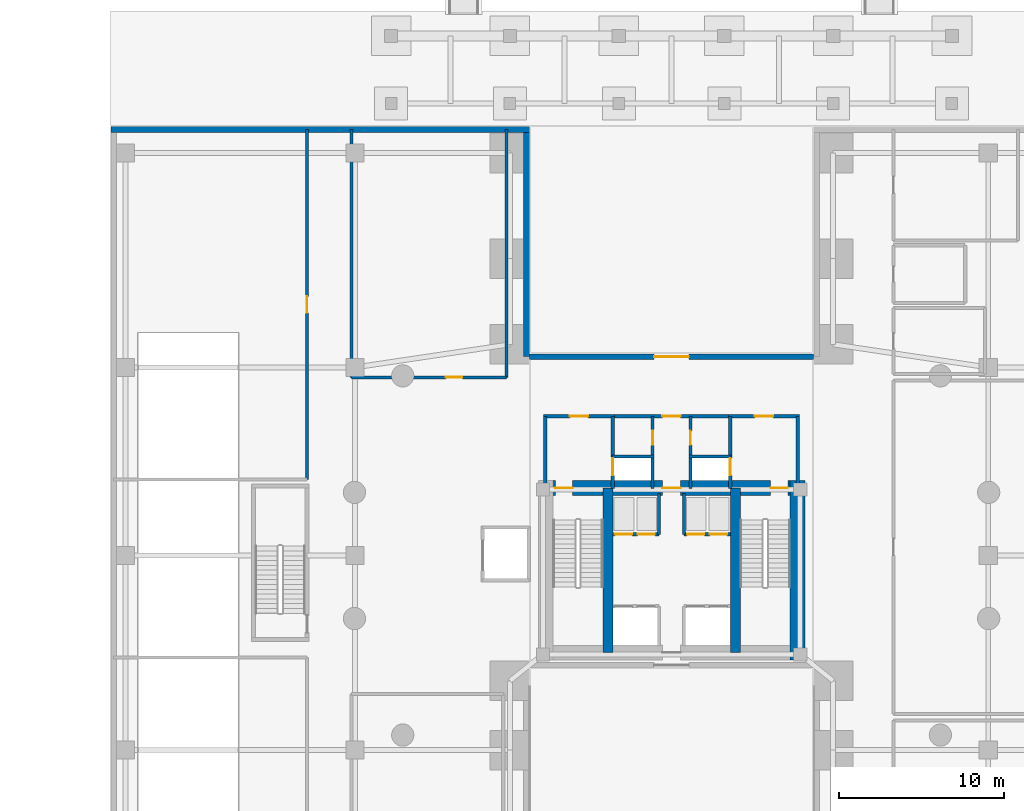
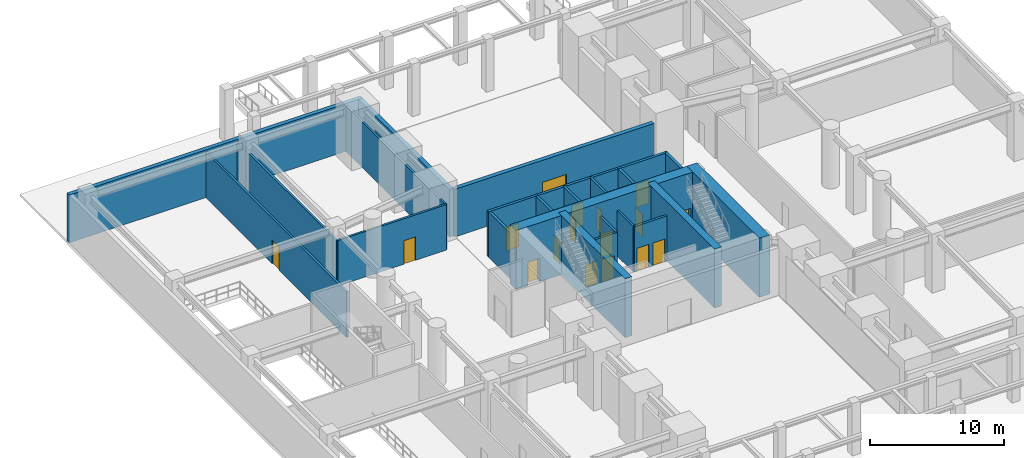
# One storey, part 5 of 11: 26 walls, 17 doors, 17 openings.
"""IFC4 building model written with IfcOpenShell, lengths in metres."""

from ifc_helpers import new_model, si_unit, direction, frame, frame_2d, origin, place, context, subcontext, project, spatial, rectangle, extrude, material, layer, layer_set, type_object, element, fill, save


model = new_model("IFC4")

# Units and contexts
model_context = context("Model", 3, precision=1e-05, world=origin(), true_north=direction((0.0, 1.0)))
body_context = subcontext(model_context, "Body", "Model", "MODEL_VIEW")
ifc_project = project(units=[si_unit("LENGTHUNIT", "METRE"), si_unit("AREAUNIT", "SQUARE_METRE"), si_unit("VOLUMEUNIT", "CUBIC_METRE"), si_unit("PLANEANGLEUNIT", "RADIAN"), si_unit("MASSUNIT", "GRAM", prefix="KILO"), si_unit("THERMODYNAMICTEMPERATUREUNIT", "KELVIN"), si_unit("POWERUNIT", "WATT")], contexts=[model_context])

# Site, building, storey
site_placement = place(None, origin())
site = spatial("IfcSite", under=ifc_project, at=site_placement, CompositionType="ELEMENT")
building_placement = place(site_placement, origin())
building = spatial("IfcBuilding", under=site, at=building_placement, Name="Ocrelia Relay Tower", CompositionType="ELEMENT")
storey_placement = place(building_placement, origin())
storey = spatial("IfcBuildingStorey", under=building, at=storey_placement, Name="L00", CompositionType="ELEMENT", Elevation=0.0)

# Wall, openings, doors
ifc_material_1 = material(Name="Concrete C70/85", Category="concrete")
ifc_layer_1 = layer(ifc_material_1, 0.89990234375, Name="Concrete C70/85")
ifc_layer_set_1 = layer_set([ifc_layer_1], Name="Concrete C70/85")
wall_type_1 = type_object("IfcWallType", Name="CW-CORE-900", PredefinedType="SHEAR", material=ifc_layer_set_1)
wall_1_placement = place(storey_placement, frame((25.922119140625, 30.087890625, 0.0), z_axis=(0.0, 0.0, 1.0), x_axis=(1.0, 0.0, 0.0)))
wall_1 = element("IfcWall", 1, at=wall_1_placement, inside=storey, type_object=wall_type_1, Name="L00 Core Shear Wall N", PredefinedType="SHEAR", context=body_context, shape_type="SweptSolid", body=[
    extrude(rectangle(XDim=16.165771484375, YDim=0.89990234375, at=frame_2d((8.0830078125, 0.0))), origin(), (0.0, 0.0, 1.0), 5.39990234375),
])
opening_1_placement = place(wall_1_placement, frame((1.028076171875, 0.0, 0.0)))
opening_1 = element("IfcOpeningElement", 2, at=opening_1_placement, cuts=wall_1, Name="Opening D-FD90", PredefinedType="OPENING", context=body_context, shape_type="SweptSolid", body=[
    extrude(rectangle(XDim=1.050048828125, YDim=2.14990234375, at=frame_2d((0.52490234375, 1.074951171875))), frame((0.0, 0.4599609375, 0.0), z_axis=(0.0, -1.0, 0.0), x_axis=(1.0, 0.0, 0.0)), (0.0, 0.0, 1.0), 0.919921875),
])
opening_2_placement = place(wall_1_placement, frame((14.077880859375, 0.0, 0.0)))
opening_2 = element("IfcOpeningElement", 3, at=opening_2_placement, cuts=wall_1, Name="Opening D-FD90", PredefinedType="OPENING", context=body_context, shape_type="SweptSolid", body=[
    extrude(rectangle(XDim=1.050048828125, YDim=2.14990234375, at=frame_2d((0.52490234375, 1.074951171875))), frame((0.0, 0.4599609375, 0.0), z_axis=(0.0, -1.0, 0.0), x_axis=(1.0, 0.0, 0.0)), (0.0, 0.0, 1.0), 0.919921875),
])
opening_3_placement = place(wall_1_placement, frame((7.528076171875, 0.0, 0.0)))
opening_3 = element("IfcOpeningElement", 4, at=opening_3_placement, cuts=wall_1, Name="Opening D-FD60", PredefinedType="OPENING", context=body_context, shape_type="SweptSolid", body=[
    extrude(rectangle(XDim=1.10009765625, YDim=2.14990234375, at=frame_2d((0.550048828125, 1.074951171875))), frame((0.0, 0.4599609375, 0.0), z_axis=(0.0, -1.0, 0.0), x_axis=(1.0, 0.0, 0.0)), (0.0, 0.0, 1.0), 0.919921875),
])
ifc_material_2 = material(Name="Timber-core 60-min acoustic fire door", Category="wood")
door_type_1 = type_object("IfcDoorType", Name="DR-LOBBY-FD60-1100", OperationType="NOTDEFINED", PredefinedType="DOOR", material=ifc_material_2)
door_1_placement = place(opening_3_placement, origin())
door_1 = element("IfcDoor", 5, at=door_1_placement, inside=storey, type_object=door_type_1, Name="L00 Core Lift Lobby North Fire Door", OperationType="SINGLE_SWING_RIGHT", OverallHeight=2.14990234375, OverallWidth=1.10009765625, PredefinedType="DOOR", context=body_context, shape_type="SweptSolid", body=[
    extrude(rectangle(XDim=1.10009765625, YDim=2.14990234375, at=frame_2d((0.550048828125, 1.074951171875))), frame((0.0, 0.02490234375, 0.0), z_axis=(0.0, -1.0, 0.0), x_axis=(1.0, 0.0, 0.0)), (0.0, 0.0, 1.0), 0.050048828125),
])
fill(opening_3, door_1)
ifc_material_3 = material(Name="Steel S355 90-min fire door", Category="steel")
door_type_2 = type_object("IfcDoorType", Name="DR-STAIR-FD90-1050", OperationType="NOTDEFINED", PredefinedType="DOOR", material=ifc_material_3)
door_2_placement = place(opening_1_placement, origin())
door_2 = element("IfcDoor", 6, at=door_2_placement, inside=storey, type_object=door_type_2, Name="L00 Stair ST1 Fire Door", OperationType="SINGLE_SWING_RIGHT", OverallHeight=2.14990234375, OverallWidth=1.050048828125, PredefinedType="DOOR", context=body_context, shape_type="SweptSolid", body=[
    extrude(rectangle(XDim=1.050048828125, YDim=2.14990234375, at=frame_2d((0.52490234375, 1.074951171875))), frame((0.0, 0.02490234375, 0.0), z_axis=(0.0, -1.0, 0.0), x_axis=(1.0, 0.0, 0.0)), (0.0, 0.0, 1.0), 0.050048828125),
])
fill(opening_1, door_2)
door_3_placement = place(opening_2_placement, origin())
door_3 = element("IfcDoor", 7, at=door_3_placement, inside=storey, type_object=door_type_2, Name="L00 Stair ST2 Fire Door", OperationType="SINGLE_SWING_LEFT", OverallHeight=2.14990234375, OverallWidth=1.050048828125, PredefinedType="DOOR", context=body_context, shape_type="SweptSolid", body=[
    extrude(rectangle(XDim=1.050048828125, YDim=2.14990234375, at=frame_2d((0.52490234375, 1.074951171875))), frame((0.0, 0.02490234375, 0.0), z_axis=(0.0, -1.0, 0.0), x_axis=(1.0, 0.0, 0.0)), (0.0, 0.0, 1.0), 0.050048828125),
])
fill(opening_2, door_3)

# Walls
wall_2_placement = place(storey_placement, frame((41.637939453125, 19.662109375, 0.0), z_axis=(0.0, 0.0, 1.0), x_axis=(0.0, 1.0, 0.0)))
element("IfcWall", 8, at=wall_2_placement, inside=storey, type_object=wall_type_1, Name="L00 Core Shear Wall E", PredefinedType="SHEAR", context=body_context, shape_type="SweptSolid", body=[
    extrude(rectangle(XDim=10.8759765625, YDim=0.89990234375, at=frame_2d((5.43798828125, 0.0))), origin(), (0.0, 0.0, 1.0), 5.39990234375),
])
for number, where, z_axis, x_axis, name in (
    (9, (30.137939453125, 20.112060546875, 0.0), (0.0, 0.0, 1.0), (0.0, 1.0, 0.0), "L00 Core Shear Wall SPW"),
    (10, (37.8720703125, 20.112060546875, 0.0), (0.0, 0.0, 1.0), (0.0, 1.0, 0.0), "L00 Core Shear Wall SPE"),
):
    element("IfcWall", number, at=place(storey_placement, frame(where, z_axis=z_axis, x_axis=x_axis)), inside=storey, type_object=wall_type_1, Name=name, PredefinedType="SHEAR", context=body_context, shape_type="SweptSolid", body=[
        extrude(rectangle(XDim=9.975830078125, YDim=0.60009765625, at=frame_2d((4.98779296875, 0.0))), origin(), (0.0, 0.0, 1.0), 5.39990234375),
    ])

# Wall, opening, door
ifc_material_4 = material(Name="Gypsum Fireboard Partition EI60", Category="gypsum")
ifc_layer_2 = layer(ifc_material_4, 0.179931640625, Name="Gypsum Fireboard Partition EI60")
ifc_layer_set_2 = layer_set([ifc_layer_2], Name="Gypsum Fireboard Partition EI60")
wall_type_2 = type_object("IfcWallType", Name="W-CORR-EI60-180", PredefinedType="PARTITIONING", material=ifc_layer_set_2)
wall_3_placement = place(storey_placement, frame((11.89990234375, 30.60009765625, 0.0), z_axis=(0.0, 0.0, 1.0), x_axis=(0.0, 1.0, 0.0)))
wall_3 = element("IfcWall", 11, at=wall_3_placement, inside=storey, type_object=wall_type_2, Name="L00 Security Screening Reception E Partition", PredefinedType="PARTITIONING", context=body_context, shape_type="SweptSolid", body=[
    extrude(rectangle(XDim=21.219970703125, YDim=0.179931640625, at=frame_2d((10.60986328125, 0.0))), origin(), (0.0, 0.0, 1.0), 4.159912109375),
])
opening_4_placement = place(wall_3_placement, frame((10.110107421875, 0.0, 0.0)))
opening_4 = element("IfcOpeningElement", 12, at=opening_4_placement, cuts=wall_3, Name="Opening D-RM100", PredefinedType="OPENING", context=body_context, shape_type="SweptSolid", body=[
    extrude(rectangle(XDim=1.0, YDim=2.14990234375, at=frame_2d((0.5, 1.074951171875))), frame((0.0, 0.10009765625, 0.0), z_axis=(0.0, -1.0, 0.0), x_axis=(1.0, 0.0, 0.0)), (0.0, 0.0, 1.0), 0.199951171875),
])
ifc_material_5 = material(Name="Acoustic oak veneer fire door", Category="wood")
door_type_3 = type_object("IfcDoorType", Name="DR-ROOM-FD60-1000", OperationType="NOTDEFINED", PredefinedType="DOOR", material=ifc_material_5)
door_4_placement = place(opening_4_placement, origin())
door_4 = element("IfcDoor", 13, at=door_4_placement, inside=storey, type_object=door_type_3, Name="L00 Security Screening Reception Door", OperationType="SINGLE_SWING_RIGHT", OverallHeight=2.14990234375, OverallWidth=1.0, PredefinedType="DOOR", context=body_context, shape_type="SweptSolid", body=[
    extrude(rectangle(XDim=1.0, YDim=2.14990234375, at=frame_2d((0.5, 1.074951171875))), frame((0.0, 0.02490234375, 0.0), z_axis=(0.0, -1.0, 0.0), x_axis=(1.0, 0.0, 0.0)), (0.0, 0.0, 1.0), 0.050048828125),
])
fill(opening_4, door_4)

wall_4_placement = place(storey_placement, frame((14.60009765625, 36.800048828125, 0.0), z_axis=(0.0, 0.0, 1.0), x_axis=(1.0, 0.0, 0.0)))
wall_4 = element("IfcWall", 14, at=wall_4_placement, inside=storey, type_object=wall_type_2, Name="L00 West Visitor Registration Office S Partition", PredefinedType="PARTITIONING", context=body_context, shape_type="SweptSolid", body=[
    extrude(rectangle(XDim=9.39990234375, YDim=0.179931640625, at=frame_2d((4.699951171875, 0.0))), origin(), (0.0, 0.0, 1.0), 4.159912109375),
])
opening_5_placement = place(wall_4_placement, frame((5.719970703125, 0.0, 0.0)))
opening_5 = element("IfcOpeningElement", 15, at=opening_5_placement, cuts=wall_4, Name="Opening D-RM100", PredefinedType="OPENING", context=body_context, shape_type="SweptSolid", body=[
    extrude(rectangle(XDim=1.0, YDim=2.14990234375, at=frame_2d((0.5, 1.074951171875))), frame((0.0, 0.10009765625, 0.0), z_axis=(0.0, -1.0, 0.0), x_axis=(1.0, 0.0, 0.0)), (0.0, 0.0, 1.0), 0.199951171875),
])
door_5_placement = place(opening_5_placement, origin())
door_5 = element("IfcDoor", 16, at=door_5_placement, inside=storey, type_object=door_type_3, Name="L00 West Visitor Registration Office Door", OperationType="SINGLE_SWING_LEFT", OverallHeight=2.14990234375, OverallWidth=1.0, PredefinedType="DOOR", context=body_context, shape_type="SweptSolid", body=[
    extrude(rectangle(XDim=1.0, YDim=2.14990234375, at=frame_2d((0.5, 1.074951171875))), frame((0.0, 0.02490234375, 0.0), z_axis=(0.0, -1.0, 0.0), x_axis=(1.0, 0.0, 0.0)), (0.0, 0.0, 1.0), 0.050048828125),
])
fill(opening_5, door_5)

# Walls
for number, where, z_axis, x_axis, name in (
    (17, (24.0, 36.800048828125, 0.0), (0.0, 0.0, 1.0), (0.0, 1.0, 0.0), "L00 West Visitor Registration Office E Partition"),
    (18, (14.60009765625, 51.820068359375, 0.0), (0.0, 0.0, 1.0), (0.0, -1.0, 0.0), "L00 West Visitor Registration Office W Partition"),
):
    element("IfcWall", number, at=place(storey_placement, frame(where, z_axis=z_axis, x_axis=x_axis)), inside=storey, type_object=wall_type_2, Name=name, PredefinedType="PARTITIONING", context=body_context, shape_type="SweptSolid", body=[
        extrude(rectangle(XDim=15.02001953125, YDim=0.179931640625, at=frame_2d((7.510009765625, 0.0))), origin(), (0.0, 0.0, 1.0), 4.159912109375),
    ])
ifc_material_6 = material(Name="Precast concrete C40/50 with oxide terracotta", Category="masonry")
ifc_layer_3 = layer(ifc_material_6, 0.35009765625, Name="Precast concrete C40/50 with oxide terracotta")
ifc_layer_set_3 = layer_set([ifc_layer_3], Name="Precast concrete C40/50 with oxide terracotta")
wall_type_3 = type_object("IfcWallType", Name="W-EXT-POD-350", PredefinedType="SOLIDWALL", material=ifc_layer_set_3)
wall_5_placement = place(storey_placement, frame((0.010009765625, 51.820068359375, 0.0), z_axis=(0.0, 0.0, 1.0), x_axis=(1.0, 0.0, 0.0)))
element("IfcWall", 19, at=wall_5_placement, inside=storey, type_object=wall_type_3, Name="L00 Oxide Terracotta Podium Wall WN", PredefinedType="SOLIDWALL", context=body_context, shape_type="SweptSolid", body=[
    extrude(rectangle(XDim=25.369873046875, YDim=0.35009765625, at=frame_2d((12.68505859375, 0.0))), origin(), (0.0, 0.0, 1.0), 4.360107421875),
])
wall_6_placement = place(storey_placement, frame((25.199951171875, 51.639892578125, 0.0), z_axis=(0.0, 0.0, 1.0), x_axis=(0.0, -1.0, 0.0)))
element("IfcWall", 20, at=wall_6_placement, inside=storey, type_object=wall_type_3, Name="L00 Oxide Terracotta Podium Wall AWN", PredefinedType="SOLIDWALL", context=body_context, shape_type="SweptSolid", body=[
    extrude(rectangle(XDim=13.58984375, YDim=0.35009765625, at=frame_2d((6.794921875, 0.0))), origin(), (0.0, 0.0, 1.0), 4.360107421875),
])

# Wall, opening, door
wall_7_placement = place(storey_placement, frame((25.3798828125, 38.050048828125, 0.0), z_axis=(0.0, 0.0, 1.0), x_axis=(1.0, 0.0, 0.0)))
wall_7 = element("IfcWall", 21, at=wall_7_placement, inside=storey, type_object=wall_type_3, Name="L00 Oxide Terracotta Podium Wall CN", PredefinedType="SOLIDWALL", context=body_context, shape_type="SweptSolid", body=[
    extrude(rectangle(XDim=17.240234375, YDim=0.35009765625, at=frame_2d((8.6201171875, 0.0))), origin(), (0.0, 0.0, 1.0), 4.360107421875),
])
opening_6_placement = place(wall_7_placement, frame((7.570068359375, 0.0, 0.0)))
opening_6 = element("IfcOpeningElement", 22, at=opening_6_placement, cuts=wall_7, Name="Opening ED-03", PredefinedType="OPENING", context=body_context, shape_type="SweptSolid", body=[
    extrude(rectangle(XDim=2.10009765625, YDim=2.35009765625, at=frame_2d((1.050048828125, 1.175048828125))), frame((0.0, 0.18505859375, 0.0), z_axis=(0.0, -1.0, 0.0), x_axis=(1.0, 0.0, 0.0)), (0.0, 0.0, 1.0), 0.3701171875),
])
ifc_material_7 = material(Name="Anodised bronze aluminium and safety glass", Category="aluminium")
door_type_4 = type_object("IfcDoorType", Name="DR-EXT-EXIT-2100", OperationType="DOUBLE_DOOR_SINGLE_SWING", PredefinedType="DOOR", material=ifc_material_7)
door_6_placement = place(opening_6_placement, origin())
door_6 = element("IfcDoor", 23, at=door_6_placement, inside=storey, type_object=door_type_4, Name="Portal Arch North Lobby Final Exit Door ED-03", OperationType="DOUBLE_DOOR_SINGLE_SWING", OverallHeight=2.35009765625, OverallWidth=2.10009765625, PredefinedType="DOOR", context=body_context, shape_type="SweptSolid", body=[
    extrude(rectangle(XDim=2.10009765625, YDim=2.35009765625, at=frame_2d((1.050048828125, 1.175048828125))), frame((0.0, 0.02490234375, 0.0), z_axis=(0.0, -1.0, 0.0), x_axis=(1.0, 0.0, 0.0)), (0.0, 0.0, 1.0), 0.050048828125),
])
fill(opening_6, door_6)

# Wall
ifc_material_8 = material(Name="Concrete C50/60", Category="concrete")
ifc_layer_4 = layer(ifc_material_8, 0.219970703125, Name="Concrete C50/60")
ifc_layer_set_4 = layer_set([ifc_layer_4], Name="Concrete C50/60")
wall_type_4 = type_object("IfcWallType", Name="W-FFL-EI120-220", PredefinedType="SOLIDWALL", material=ifc_layer_set_4)
wall_8_placement = place(storey_placement, frame((26.35009765625, 30.050048828125, 0.0), z_axis=(0.0, 0.0, 1.0), x_axis=(0.0, 1.0, 0.0)))
element("IfcWall", 24, at=wall_8_placement, inside=storey, type_object=wall_type_4, Name="L00 W Fire Service Lift Lobby West Wall", PredefinedType="SOLIDWALL", context=body_context, shape_type="SweptSolid", body=[
    extrude(rectangle(XDim=4.3798828125, YDim=0.219970703125, at=frame_2d((2.18994140625, 0.0))), origin(), (0.0, 0.0, 1.0), 4.159912109375),
])

# Wall, opening, door
wall_9_placement = place(storey_placement, frame((30.43994140625, 30.050048828125, 0.0), z_axis=(0.0, 0.0, 1.0), x_axis=(0.0, 1.0, 0.0)))
wall_9 = element("IfcWall", 25, at=wall_9_placement, inside=storey, type_object=wall_type_4, Name="L00 W Fire Service Lift Lobby East Wall", PredefinedType="SOLIDWALL", context=body_context, shape_type="SweptSolid", body=[
    extrude(rectangle(XDim=4.3798828125, YDim=0.219970703125, at=frame_2d((2.18994140625, 0.0))), origin(), (0.0, 0.0, 1.0), 4.159912109375),
])
opening_7_placement = place(wall_9_placement, frame((0.800048828125, 0.0, 0.0)))
opening_7 = element("IfcOpeningElement", 26, at=opening_7_placement, cuts=wall_9, Name="Opening LD-FFL1", PredefinedType="OPENING", context=body_context, shape_type="SweptSolid", body=[
    extrude(rectangle(XDim=1.050048828125, YDim=2.10009765625, at=frame_2d((0.52490234375, 1.050048828125))), frame((0.0, 0.1201171875, 0.0), z_axis=(0.0, -1.0, 0.0), x_axis=(1.0, 0.0, 0.0)), (0.0, 0.0, 1.0), 0.239990234375),
])
ifc_material_9 = material(Name="Brushed stainless steel S355 lift landing door", Category="steel")
door_type_5 = type_object("IfcDoorType", Name="DR-LIFT-LAND-1050", OperationType="DOUBLE_DOOR_SLIDING", PredefinedType="USERDEFINED", material=ifc_material_9)
door_7_placement = place(opening_7_placement, origin())
door_7 = element("IfcDoor", 27, at=door_7_placement, inside=storey, type_object=door_type_5, Name="L00 Firefighting Lift FFL1 Sliding Landing Door", ObjectType="LANDING DOOR", OperationType="DOUBLE_DOOR_SLIDING", OverallHeight=2.10009765625, OverallWidth=1.050048828125, PredefinedType="USERDEFINED", context=body_context, shape_type="SweptSolid", body=[
    extrude(rectangle(XDim=1.050048828125, YDim=2.10009765625, at=frame_2d((0.52490234375, 1.050048828125))), frame((0.0, 0.02490234375, 0.0), z_axis=(0.0, -1.0, 0.0), x_axis=(1.0, 0.0, 0.0)), (0.0, 0.0, 1.0), 0.050048828125),
])
fill(opening_7, door_7)

wall_10_placement = place(storey_placement, frame((26.239990234375, 34.429931640625, 0.0), z_axis=(0.0, 0.0, 1.0), x_axis=(1.0, 0.0, 0.0)))
wall_10 = element("IfcWall", 28, at=wall_10_placement, inside=storey, type_object=wall_type_4, Name="L00 W Fire Service Lift Lobby North Wall", PredefinedType="SOLIDWALL", context=body_context, shape_type="SweptSolid", body=[
    extrude(rectangle(XDim=4.31005859375, YDim=0.219970703125, at=frame_2d((2.155029296875, 0.0))), origin(), (0.0, 0.0, 1.0), 4.159912109375),
])
opening_8_placement = place(wall_10_placement, frame((1.60009765625, 0.0, 0.0)))
opening_8 = element("IfcOpeningElement", 29, at=opening_8_placement, cuts=wall_10, Name="Opening D-FD60", PredefinedType="OPENING", context=body_context, shape_type="SweptSolid", body=[
    extrude(rectangle(XDim=1.10009765625, YDim=2.14990234375, at=frame_2d((0.550048828125, 1.074951171875))), frame((0.0, 0.1201171875, 0.0), z_axis=(0.0, -1.0, 0.0), x_axis=(1.0, 0.0, 0.0)), (0.0, 0.0, 1.0), 0.239990234375),
])
door_8_placement = place(opening_8_placement, origin())
door_8 = element("IfcDoor", 30, at=door_8_placement, inside=storey, type_object=door_type_1, Name="L00 W Fire Service Lift Lobby Exit Door", OperationType="SINGLE_SWING_RIGHT", OverallHeight=2.14990234375, OverallWidth=1.10009765625, PredefinedType="DOOR", context=body_context, shape_type="SweptSolid", body=[
    extrude(rectangle(XDim=1.10009765625, YDim=2.14990234375, at=frame_2d((0.550048828125, 1.074951171875))), frame((0.0, 0.02490234375, 0.0), z_axis=(0.0, -1.0, 0.0), x_axis=(1.0, 0.0, 0.0)), (0.0, 0.0, 1.0), 0.050048828125),
])
fill(opening_8, door_8)

wall_11_placement = place(storey_placement, frame((37.56005859375, 30.050048828125, 0.0), z_axis=(0.0, 0.0, 1.0), x_axis=(0.0, 1.0, 0.0)))
wall_11 = element("IfcWall", 31, at=wall_11_placement, inside=storey, type_object=wall_type_4, Name="L00 E Fire Service Lift Lobby West Wall", PredefinedType="SOLIDWALL", context=body_context, shape_type="SweptSolid", body=[
    extrude(rectangle(XDim=4.3798828125, YDim=0.219970703125, at=frame_2d((2.18994140625, 0.0))), origin(), (0.0, 0.0, 1.0), 4.159912109375),
])
opening_9_placement = place(wall_11_placement, frame((0.800048828125, 0.0, 0.0)))
opening_9 = element("IfcOpeningElement", 32, at=opening_9_placement, cuts=wall_11, Name="Opening LD-FFL2", PredefinedType="OPENING", context=body_context, shape_type="SweptSolid", body=[
    extrude(rectangle(XDim=1.050048828125, YDim=2.10009765625, at=frame_2d((0.52490234375, 1.050048828125))), frame((0.0, 0.1201171875, 0.0), z_axis=(0.0, -1.0, 0.0), x_axis=(1.0, 0.0, 0.0)), (0.0, 0.0, 1.0), 0.239990234375),
])
door_9_placement = place(opening_9_placement, origin())
door_9 = element("IfcDoor", 33, at=door_9_placement, inside=storey, type_object=door_type_5, Name="L00 Firefighting Lift FFL2 Sliding Landing Door", ObjectType="LANDING DOOR", OperationType="DOUBLE_DOOR_SLIDING", OverallHeight=2.10009765625, OverallWidth=1.050048828125, PredefinedType="USERDEFINED", context=body_context, shape_type="SweptSolid", body=[
    extrude(rectangle(XDim=1.050048828125, YDim=2.10009765625, at=frame_2d((0.52490234375, 1.050048828125))), frame((0.0, 0.02490234375, 0.0), z_axis=(0.0, -1.0, 0.0), x_axis=(1.0, 0.0, 0.0)), (0.0, 0.0, 1.0), 0.050048828125),
])
fill(opening_9, door_9)

# Wall
wall_12_placement = place(storey_placement, frame((41.64990234375, 30.050048828125, 0.0), z_axis=(0.0, 0.0, 1.0), x_axis=(0.0, 1.0, 0.0)))
element("IfcWall", 34, at=wall_12_placement, inside=storey, type_object=wall_type_4, Name="L00 E Fire Service Lift Lobby East Wall", PredefinedType="SOLIDWALL", context=body_context, shape_type="SweptSolid", body=[
    extrude(rectangle(XDim=4.3798828125, YDim=0.219970703125, at=frame_2d((2.18994140625, 0.0))), origin(), (0.0, 0.0, 1.0), 4.159912109375),
])

# Wall, opening, door
wall_13_placement = place(storey_placement, frame((37.449951171875, 34.429931640625, 0.0), z_axis=(0.0, 0.0, 1.0), x_axis=(1.0, 0.0, 0.0)))
wall_13 = element("IfcWall", 35, at=wall_13_placement, inside=storey, type_object=wall_type_4, Name="L00 E Fire Service Lift Lobby North Wall", PredefinedType="SOLIDWALL", context=body_context, shape_type="SweptSolid", body=[
    extrude(rectangle(XDim=4.31005859375, YDim=0.219970703125, at=frame_2d((2.155029296875, 0.0))), origin(), (0.0, 0.0, 1.0), 4.159912109375),
])
opening_10_placement = place(wall_13_placement, frame((1.60009765625, 0.0, 0.0)))
opening_10 = element("IfcOpeningElement", 36, at=opening_10_placement, cuts=wall_13, Name="Opening D-FD60", PredefinedType="OPENING", context=body_context, shape_type="SweptSolid", body=[
    extrude(rectangle(XDim=1.10009765625, YDim=2.14990234375, at=frame_2d((0.550048828125, 1.074951171875))), frame((0.0, 0.1201171875, 0.0), z_axis=(0.0, -1.0, 0.0), x_axis=(1.0, 0.0, 0.0)), (0.0, 0.0, 1.0), 0.239990234375),
])
door_10_placement = place(opening_10_placement, origin())
door_10 = element("IfcDoor", 37, at=door_10_placement, inside=storey, type_object=door_type_1, Name="L00 E Fire Service Lift Lobby Exit Door", OperationType="SINGLE_SWING_RIGHT", OverallHeight=2.14990234375, OverallWidth=1.10009765625, PredefinedType="DOOR", context=body_context, shape_type="SweptSolid", body=[
    extrude(rectangle(XDim=1.10009765625, YDim=2.14990234375, at=frame_2d((0.550048828125, 1.074951171875))), frame((0.0, 0.02490234375, 0.0), z_axis=(0.0, -1.0, 0.0), x_axis=(1.0, 0.0, 0.0)), (0.0, 0.0, 1.0), 0.050048828125),
])
fill(opening_10, door_10)

wall_14_placement = place(storey_placement, frame((30.43994140625, 34.429931640625, 0.0), z_axis=(0.0, 0.0, 1.0), x_axis=(1.0, 0.0, 0.0)))
wall_14 = element("IfcWall", 38, at=wall_14_placement, inside=storey, type_object=wall_type_4, Name="L00 North Core Vestibule Wall", PredefinedType="SOLIDWALL", context=body_context, shape_type="SweptSolid", body=[
    extrude(rectangle(XDim=7.1201171875, YDim=0.219970703125, at=frame_2d((3.56005859375, 0.0))), origin(), (0.0, 0.0, 1.0), 4.159912109375),
])
opening_11_placement = place(wall_14_placement, frame((3.010009765625, 0.0, 0.0)))
opening_11 = element("IfcOpeningElement", 39, at=opening_11_placement, cuts=wall_14, Name="Opening D-FD60", PredefinedType="OPENING", context=body_context, shape_type="SweptSolid", body=[
    extrude(rectangle(XDim=1.10009765625, YDim=2.14990234375, at=frame_2d((0.550048828125, 1.074951171875))), frame((0.0, 0.1201171875, 0.0), z_axis=(0.0, -1.0, 0.0), x_axis=(1.0, 0.0, 0.0)), (0.0, 0.0, 1.0), 0.239990234375),
])
door_11_placement = place(opening_11_placement, origin())
door_11 = element("IfcDoor", 40, at=door_11_placement, inside=storey, type_object=door_type_1, Name="L00 North Core Vestibule Corridor Door", OperationType="SINGLE_SWING_RIGHT", OverallHeight=2.14990234375, OverallWidth=1.10009765625, PredefinedType="DOOR", context=body_context, shape_type="SweptSolid", body=[
    extrude(rectangle(XDim=1.10009765625, YDim=2.14990234375, at=frame_2d((0.550048828125, 1.074951171875))), frame((0.0, 0.02490234375, 0.0), z_axis=(0.0, -1.0, 0.0), x_axis=(1.0, 0.0, 0.0)), (0.0, 0.0, 1.0), 0.050048828125),
])
fill(opening_11, door_11)

# Wall
ifc_layer_5 = layer(ifc_material_8, 0.199951171875, Name="Concrete C50/60")
ifc_layer_set_5 = layer_set([ifc_layer_5], Name="Concrete C50/60")
wall_type_5 = type_object("IfcWallType", Name="W-SHAFT-EI120-200", PredefinedType="SOLIDWALL", material=ifc_layer_set_5)
wall_15_placement = place(storey_placement, frame((30.39990234375, 32.0, 0.0), z_axis=(0.0, 0.0, 1.0), x_axis=(1.0, 0.0, 0.0)))
element("IfcWall", 41, at=wall_15_placement, inside=storey, type_object=wall_type_5, Name="L00 FFL1 Hoistway North Wall", PredefinedType="SOLIDWALL", context=body_context, shape_type="SweptSolid", body=[
    extrude(rectangle(XDim=2.550048828125, YDim=0.199951171875, at=frame_2d((1.27490234375, 0.0))), origin(), (0.0, 0.0, 1.0), 4.159912109375),
])

# Wall, opening, door
wall_16_placement = place(storey_placement, frame((32.85009765625, 30.050048828125, 0.0), z_axis=(0.0, 0.0, 1.0), x_axis=(0.0, 1.0, 0.0)))
wall_16 = element("IfcWall", 42, at=wall_16_placement, inside=storey, type_object=wall_type_5, Name="L00 FFL1 and Service Vestibule Wall", PredefinedType="SOLIDWALL", context=body_context, shape_type="SweptSolid", body=[
    extrude(rectangle(XDim=4.3798828125, YDim=0.199951171875, at=frame_2d((2.18994140625, 0.0))), origin(), (0.0, 0.0, 1.0), 4.159912109375),
])
opening_12_placement = place(wall_16_placement, frame((2.64990234375, 0.0, 0.0)))
opening_12 = element("IfcOpeningElement", 43, at=opening_12_placement, cuts=wall_16, Name="Opening D-RS86", PredefinedType="OPENING", context=body_context, shape_type="SweptSolid", body=[
    extrude(rectangle(XDim=0.860107421875, YDim=2.050048828125, at=frame_2d((0.43017578125, 1.02490234375))), frame((0.0, 0.10986328125, 0.0), z_axis=(0.0, -1.0, 0.0), x_axis=(1.0, 0.0, 0.0)), (0.0, 0.0, 1.0), 0.219970703125),
])
ifc_material_10 = material(Name="Steel S355 riser access fire door", Category="steel")
door_type_6 = type_object("IfcDoorType", Name="DR-RISER-TRAP-860", OperationType="NOTDEFINED", PredefinedType="TRAPDOOR", material=ifc_material_10)
door_12_placement = place(opening_12_placement, origin())
door_12 = element("IfcDoor", 44, at=door_12_placement, inside=storey, type_object=door_type_6, Name="L00 Core Support Room W Door", OperationType="SINGLE_SWING_LEFT", OverallHeight=2.050048828125, OverallWidth=0.860107421875, PredefinedType="TRAPDOOR", context=body_context, shape_type="SweptSolid", body=[
    extrude(rectangle(XDim=0.860107421875, YDim=2.050048828125, at=frame_2d((0.43017578125, 1.02490234375))), frame((0.0, 0.02490234375, 0.0), z_axis=(0.0, -1.0, 0.0), x_axis=(1.0, 0.0, 0.0)), (0.0, 0.0, 1.0), 0.050048828125),
])
fill(opening_12, door_12)

# Wall
wall_17_placement = place(storey_placement, frame((35.050048828125, 32.0, 0.0), z_axis=(0.0, 0.0, 1.0), x_axis=(1.0, 0.0, 0.0)))
element("IfcWall", 45, at=wall_17_placement, inside=storey, type_object=wall_type_5, Name="L00 FFL2 Hoistway North Wall", PredefinedType="SOLIDWALL", context=body_context, shape_type="SweptSolid", body=[
    extrude(rectangle(XDim=2.550048828125, YDim=0.199951171875, at=frame_2d((1.27490234375, 0.0))), origin(), (0.0, 0.0, 1.0), 4.159912109375),
])

# Wall, opening, door
wall_18_placement = place(storey_placement, frame((35.14990234375, 30.050048828125, 0.0), z_axis=(0.0, 0.0, 1.0), x_axis=(0.0, 1.0, 0.0)))
wall_18 = element("IfcWall", 46, at=wall_18_placement, inside=storey, type_object=wall_type_5, Name="L00 FFL2 and Service Vestibule Wall", PredefinedType="SOLIDWALL", context=body_context, shape_type="SweptSolid", body=[
    extrude(rectangle(XDim=4.3798828125, YDim=0.199951171875, at=frame_2d((2.18994140625, 0.0))), origin(), (0.0, 0.0, 1.0), 4.159912109375),
])
opening_13_placement = place(wall_18_placement, frame((2.64990234375, 0.0, 0.0)))
opening_13 = element("IfcOpeningElement", 47, at=opening_13_placement, cuts=wall_18, Name="Opening D-RS86", PredefinedType="OPENING", context=body_context, shape_type="SweptSolid", body=[
    extrude(rectangle(XDim=0.860107421875, YDim=2.050048828125, at=frame_2d((0.43017578125, 1.02490234375))), frame((0.0, 0.10986328125, 0.0), z_axis=(0.0, -1.0, 0.0), x_axis=(1.0, 0.0, 0.0)), (0.0, 0.0, 1.0), 0.219970703125),
])
door_13_placement = place(opening_13_placement, origin())
door_13 = element("IfcDoor", 48, at=door_13_placement, inside=storey, type_object=door_type_6, Name="L00 Core Support Room E Door", OperationType="SINGLE_SWING_LEFT", OverallHeight=2.050048828125, OverallWidth=0.860107421875, PredefinedType="TRAPDOOR", context=body_context, shape_type="SweptSolid", body=[
    extrude(rectangle(XDim=0.860107421875, YDim=2.050048828125, at=frame_2d((0.43017578125, 1.02490234375))), frame((0.0, 0.02490234375, 0.0), z_axis=(0.0, -1.0, 0.0), x_axis=(1.0, 0.0, 0.0)), (0.0, 0.0, 1.0), 0.050048828125),
])
fill(opening_13, door_13)

# Wall, openings, doors
wall_19_placement = place(storey_placement, frame((30.43994140625, 27.280029296875, 0.0), z_axis=(0.0, 0.0, 1.0), x_axis=(1.0, 0.0, 0.0)))
wall_19 = element("IfcWall", 49, at=wall_19_placement, inside=storey, type_object=wall_type_5, Name="L00 High-Rise Lift Hoistway Wall W", PredefinedType="SOLIDWALL", context=body_context, shape_type="SweptSolid", body=[
    extrude(rectangle(XDim=2.81005859375, YDim=0.199951171875, at=frame_2d((1.405029296875, 0.0))), origin(), (0.0, 0.0, 1.0), 4.159912109375),
])
opening_14_placement = place(wall_19_placement, frame((0.1201171875, 0.0, 0.0)))
opening_14 = element("IfcOpeningElement", 50, at=opening_14_placement, cuts=wall_19, Name="Opening LD-PL5", PredefinedType="OPENING", context=body_context, shape_type="SweptSolid", body=[
    extrude(rectangle(XDim=1.050048828125, YDim=2.10009765625, at=frame_2d((0.52490234375, 1.050048828125))), frame((0.0, 0.10986328125, 0.0), z_axis=(0.0, -1.0, 0.0), x_axis=(1.0, 0.0, 0.0)), (0.0, 0.0, 1.0), 0.219970703125),
])
opening_15_placement = place(wall_19_placement, frame((1.5, 0.0, 0.0)))
opening_15 = element("IfcOpeningElement", 51, at=opening_15_placement, cuts=wall_19, Name="Opening LD-PL6", PredefinedType="OPENING", context=body_context, shape_type="SweptSolid", body=[
    extrude(rectangle(XDim=1.050048828125, YDim=2.10009765625, at=frame_2d((0.52490234375, 1.050048828125))), frame((0.0, 0.10986328125, 0.0), z_axis=(0.0, -1.0, 0.0), x_axis=(1.0, 0.0, 0.0)), (0.0, 0.0, 1.0), 0.219970703125),
])
door_14_placement = place(opening_14_placement, origin())
door_14 = element("IfcDoor", 52, at=door_14_placement, inside=storey, type_object=door_type_5, Name="L00 High-Rise Lift PL5 Sliding Landing Door", ObjectType="LANDING DOOR", OperationType="DOUBLE_DOOR_SLIDING", OverallHeight=2.10009765625, OverallWidth=1.050048828125, PredefinedType="USERDEFINED", context=body_context, shape_type="SweptSolid", body=[
    extrude(rectangle(XDim=1.050048828125, YDim=2.10009765625, at=frame_2d((0.52490234375, 1.050048828125))), frame((0.0, 0.02490234375, 0.0), z_axis=(0.0, -1.0, 0.0), x_axis=(1.0, 0.0, 0.0)), (0.0, 0.0, 1.0), 0.050048828125),
])
fill(opening_14, door_14)
door_15_placement = place(opening_15_placement, origin())
door_15 = element("IfcDoor", 53, at=door_15_placement, inside=storey, type_object=door_type_5, Name="L00 High-Rise Lift PL6 Sliding Landing Door", ObjectType="LANDING DOOR", OperationType="DOUBLE_DOOR_SLIDING", OverallHeight=2.10009765625, OverallWidth=1.050048828125, PredefinedType="USERDEFINED", context=body_context, shape_type="SweptSolid", body=[
    extrude(rectangle(XDim=1.050048828125, YDim=2.10009765625, at=frame_2d((0.52490234375, 1.050048828125))), frame((0.0, 0.02490234375, 0.0), z_axis=(0.0, -1.0, 0.0), x_axis=(1.0, 0.0, 0.0)), (0.0, 0.0, 1.0), 0.050048828125),
])
fill(opening_15, door_15)

# Wall
wall_20_placement = place(storey_placement, frame((33.25, 27.280029296875, 0.0), z_axis=(0.0, 0.0, 1.0), x_axis=(0.0, 1.0, 0.0)))
element("IfcWall", 54, at=wall_20_placement, inside=storey, type_object=wall_type_5, Name="L00 High-Rise Lift Throat Wall W", PredefinedType="SOLIDWALL", context=body_context, shape_type="SweptSolid", body=[
    extrude(rectangle(XDim=2.469970703125, YDim=0.179931640625, at=frame_2d((1.23486328125, 0.0))), origin(), (0.0, 0.0, 1.0), 4.159912109375),
])

# Wall, openings, doors
wall_21_placement = place(storey_placement, frame((34.75, 27.280029296875, 0.0), z_axis=(0.0, 0.0, 1.0), x_axis=(1.0, 0.0, 0.0)))
wall_21 = element("IfcWall", 55, at=wall_21_placement, inside=storey, type_object=wall_type_5, Name="L00 High-Rise Lift Hoistway Wall E", PredefinedType="SOLIDWALL", context=body_context, shape_type="SweptSolid", body=[
    extrude(rectangle(XDim=2.81005859375, YDim=0.199951171875, at=frame_2d((1.405029296875, 0.0))), origin(), (0.0, 0.0, 1.0), 4.159912109375),
])
opening_16_placement = place(wall_21_placement, frame((0.18994140625, 0.0, 0.0)))
opening_16 = element("IfcOpeningElement", 56, at=opening_16_placement, cuts=wall_21, Name="Opening LD-PL7", PredefinedType="OPENING", context=body_context, shape_type="SweptSolid", body=[
    extrude(rectangle(XDim=1.050048828125, YDim=2.10009765625, at=frame_2d((0.52490234375, 1.050048828125))), frame((0.0, 0.10986328125, 0.0), z_axis=(0.0, -1.0, 0.0), x_axis=(1.0, 0.0, 0.0)), (0.0, 0.0, 1.0), 0.219970703125),
])
opening_17_placement = place(wall_21_placement, frame((1.570068359375, 0.0, 0.0)))
opening_17 = element("IfcOpeningElement", 57, at=opening_17_placement, cuts=wall_21, Name="Opening LD-PL8", PredefinedType="OPENING", context=body_context, shape_type="SweptSolid", body=[
    extrude(rectangle(XDim=1.050048828125, YDim=2.10009765625, at=frame_2d((0.52490234375, 1.050048828125))), frame((0.0, 0.10986328125, 0.0), z_axis=(0.0, -1.0, 0.0), x_axis=(1.0, 0.0, 0.0)), (0.0, 0.0, 1.0), 0.219970703125),
])
door_16_placement = place(opening_16_placement, origin())
door_16 = element("IfcDoor", 58, at=door_16_placement, inside=storey, type_object=door_type_5, Name="L00 High-Rise Lift PL7 Sliding Landing Door", ObjectType="LANDING DOOR", OperationType="DOUBLE_DOOR_SLIDING", OverallHeight=2.10009765625, OverallWidth=1.050048828125, PredefinedType="USERDEFINED", context=body_context, shape_type="SweptSolid", body=[
    extrude(rectangle(XDim=1.050048828125, YDim=2.10009765625, at=frame_2d((0.52490234375, 1.050048828125))), frame((0.0, 0.02490234375, 0.0), z_axis=(0.0, -1.0, 0.0), x_axis=(1.0, 0.0, 0.0)), (0.0, 0.0, 1.0), 0.050048828125),
])
fill(opening_16, door_16)
door_17_placement = place(opening_17_placement, origin())
door_17 = element("IfcDoor", 59, at=door_17_placement, inside=storey, type_object=door_type_5, Name="L00 High-Rise Lift PL8 Sliding Landing Door", ObjectType="LANDING DOOR", OperationType="DOUBLE_DOOR_SLIDING", OverallHeight=2.10009765625, OverallWidth=1.050048828125, PredefinedType="USERDEFINED", context=body_context, shape_type="SweptSolid", body=[
    extrude(rectangle(XDim=1.050048828125, YDim=2.10009765625, at=frame_2d((0.52490234375, 1.050048828125))), frame((0.0, 0.02490234375, 0.0), z_axis=(0.0, -1.0, 0.0), x_axis=(1.0, 0.0, 0.0)), (0.0, 0.0, 1.0), 0.050048828125),
])
fill(opening_17, door_17)

# Wall
wall_22_placement = place(storey_placement, frame((34.75, 27.280029296875, 0.0), z_axis=(0.0, 0.0, 1.0), x_axis=(0.0, 1.0, 0.0)))
element("IfcWall", 60, at=wall_22_placement, inside=storey, type_object=wall_type_5, Name="L00 High-Rise Lift Throat Wall E", PredefinedType="SOLIDWALL", context=body_context, shape_type="SweptSolid", body=[
    extrude(rectangle(XDim=2.469970703125, YDim=0.179931640625, at=frame_2d((1.23486328125, 0.0))), origin(), (0.0, 0.0, 1.0), 4.159912109375),
])

save(model, "model.ifc")
